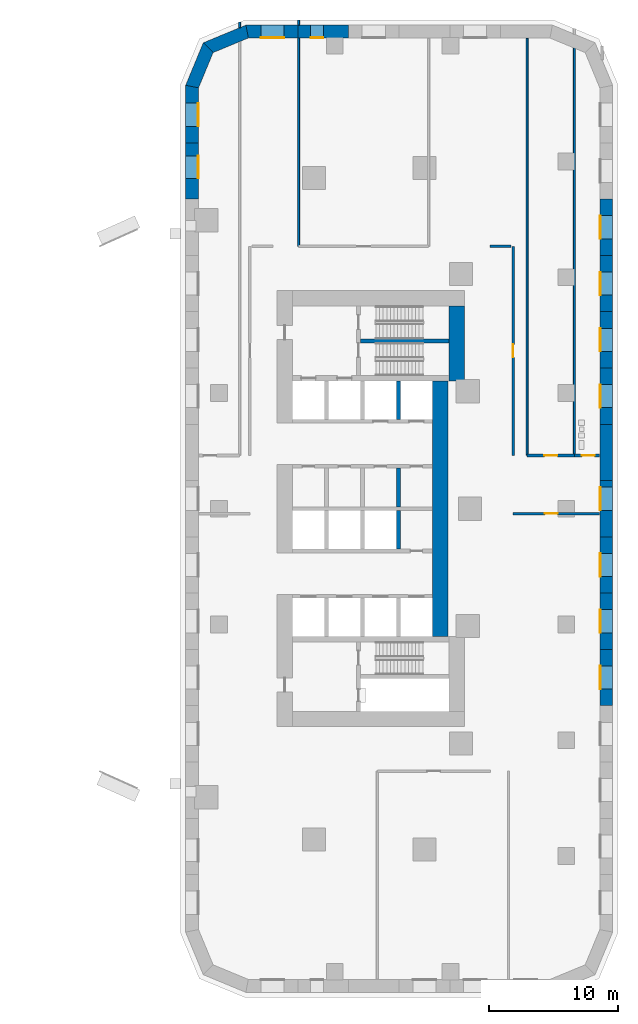
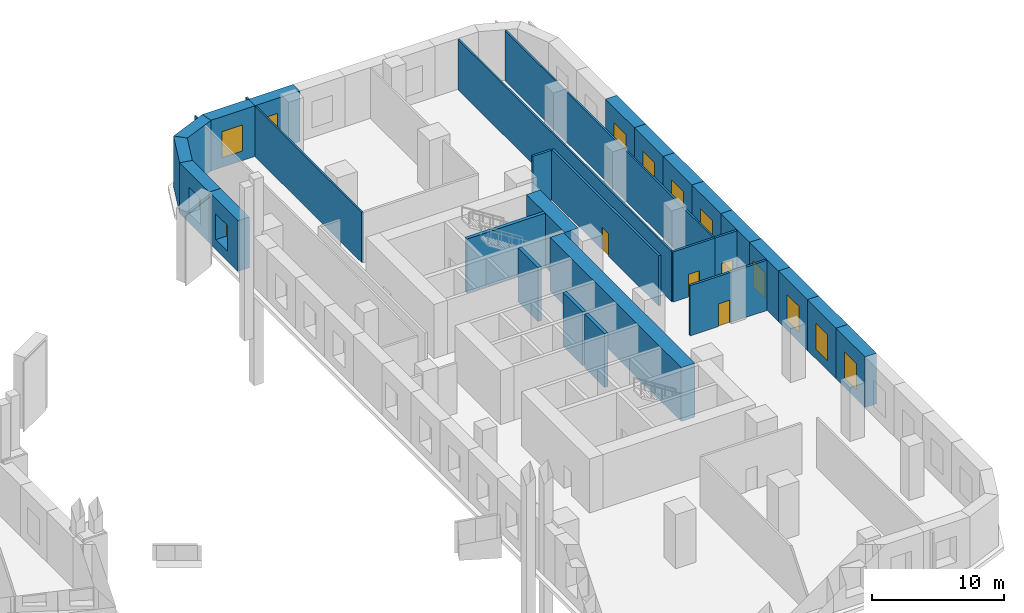
# One storey, part 5 of 11: 31 walls, 12 windows, 4 doors, 16 openings.
"""IFC4 building model written with IfcOpenShell, lengths in metres."""

from ifc_helpers import new_model, si_unit, direction, frame, frame_2d, origin, place, context, subcontext, project, spatial, polyline, rectangle, outline, extrude, material, layer, layer_set, type_object, element, fill, save


model = new_model("IFC4")

# Units and contexts
model_context = context("Model", 3, precision=1e-05, world=origin(), true_north=direction((0.0, 1.0)))
body_context = subcontext(model_context, "Body", "Model", "MODEL_VIEW")
ifc_project = project(units=[si_unit("LENGTHUNIT", "METRE"), si_unit("AREAUNIT", "SQUARE_METRE"), si_unit("VOLUMEUNIT", "CUBIC_METRE"), si_unit("PLANEANGLEUNIT", "RADIAN"), si_unit("MASSUNIT", "GRAM", prefix="KILO")], contexts=[model_context])

# Site, building, storey
site_placement = place(None, origin())
site = spatial("IfcSite", under=ifc_project, at=site_placement, CompositionType="ELEMENT")
building_placement = place(site_placement, origin())
building = spatial("IfcBuilding", under=site, at=building_placement, Name="Ostrand Prow Hotel Tower", CompositionType="ELEMENT")
storey_placement = place(building_placement, frame((0.0, 0.0, 19.0)))
storey = spatial("IfcBuildingStorey", under=building, at=storey_placement, Name="L03", CompositionType="ELEMENT", Elevation=19.0)

# Walls
ifc_material_1 = material(Name="Concrete C80/95", Category="concrete")
ifc_layer_1 = layer(ifc_material_1, 1.199951171875)
ifc_layer_set_1 = layer_set([ifc_layer_1], Name="Concrete C80/95")
wall_type_1 = type_object("IfcWallType", Name="Core wall 1200 C80/95", PredefinedType="SHEAR", material=ifc_layer_set_1)
wall_1_placement = place(storey_placement, frame((63.47998046875, 9.949951171875, 0.0), z_axis=(0.0, 0.0, 1.0), x_axis=(0.0, 1.0, 0.0)))
element("IfcWall", 1, at=wall_1_placement, inside=storey, type_object=wall_type_1, Name="Core wall CW-E-N", PredefinedType="SHEAR", context=body_context, shape_type="SweptSolid", body=[
    extrude(rectangle(XDim=5.800048828125, YDim=1.199951171875, at=frame_2d((2.89990234375, 0.0))), origin(), (0.0, 0.0, 1.0), 5.0),
])
wall_2_placement = place(storey_placement, frame((62.199951171875, -9.949951171875, 0.0), z_axis=(0.0, 0.0, 1.0), x_axis=(0.0, 1.0, 0.0)))
element("IfcWall", 2, at=wall_2_placement, inside=storey, type_object=wall_type_1, Name="Core wall CW-E-C", PredefinedType="SHEAR", context=body_context, shape_type="SweptSolid", body=[
    extrude(rectangle(XDim=19.89990234375, YDim=1.199951171875, at=frame_2d((9.949951171875, 0.0))), origin(), (0.0, 0.0, 1.0), 5.0),
])
ifc_material_2 = material(Name="Concrete C80/95", Category="concrete")
ifc_layer_2 = layer(ifc_material_2, 0.300048828125)
ifc_layer_set_2 = layer_set([ifc_layer_2], Name="Concrete C80/95")
wall_type_2 = type_object("IfcWallType", Name="Core wall 300 C80/95", PredefinedType="SHEAR", material=ifc_layer_set_2)
for number, where, z_axis, x_axis, name in (
    (3, (58.949951171875, 0.14990234375, 0.0), (0.0, 0.0, 1.0), (0.0, 1.0, 0.0), "Core wall PW-R3-NB"),
    (4, (58.949951171875, 6.949951171875, 0.0), (0.0, 0.0, 1.0), (0.0, 1.0, 0.0), "Core wall PW-R3-NA"),
    (5, (58.949951171875, -3.14990234375, 0.0), (0.0, 0.0, 1.0), (0.0, 1.0, 0.0), "Core wall PW-R3-SB"),
):
    element("IfcWall", number, at=place(storey_placement, frame(where, z_axis=z_axis, x_axis=x_axis)), inside=storey, type_object=wall_type_2, Name=name, PredefinedType="SHEAR", context=body_context, shape_type="SweptSolid", body=[
        extrude(rectangle(XDim=3.0, YDim=0.300048828125, at=frame_2d((1.5, 0.0))), origin(), (0.0, 0.0, 1.0), 5.0),
    ])
wall_3_placement = place(storey_placement, frame((56.0, 13.050048828125, 0.0), z_axis=(0.0, 0.0, 1.0), x_axis=(1.0, 0.0, 0.0)))
element("IfcWall", 6, at=wall_3_placement, inside=storey, type_object=wall_type_2, Name="Core wall PW-ST13", PredefinedType="SHEAR", context=body_context, shape_type="SweptSolid", body=[
    extrude(rectangle(XDim=6.8798828125, YDim=0.300048828125, at=frame_2d((3.43994140625, 0.0))), origin(), (0.0, 0.0, 1.0), 5.0),
])
ifc_material_3 = material(Name="Plasterboard partition")
ifc_layer_3 = layer(ifc_material_3, 0.14990234375)
ifc_layer_set_3 = layer_set([ifc_layer_3], Name="Plasterboard partition")
wall_type_3 = type_object("IfcWallType", Name="Partition 150 room partition", PredefinedType="PARTITIONING", material=ifc_layer_set_3)
wall_4_placement = place(storey_placement, frame((46.594482421875, 37.399169921875, 0.0), z_axis=(0.0, 0.0, 1.0), x_axis=(0.0, 1.0, 0.0)))
element("IfcWall", 7, at=wall_4_placement, inside=storey, type_object=wall_type_3, Name="ROOM PARTITION", PredefinedType="PARTITIONING", context=body_context, shape_type="SweptSolid", body=[
    extrude(rectangle(XDim=0.432861328125, YDim=0.14990234375, at=frame_2d((0.21630859375, 0.0))), origin(), (0.0, 0.0, 1.0), 4.64990234375),
])
wall_5_placement = place(storey_placement, frame((51.189208984375, 20.39990234375, 0.0), z_axis=(0.0, 0.0, 1.0), x_axis=(0.0, 1.0, 0.0)))
element("IfcWall", 8, at=wall_5_placement, inside=storey, type_object=wall_type_3, Name="ROOM PARTITION", PredefinedType="PARTITIONING", context=body_context, shape_type="SweptSolid", body=[
    extrude(rectangle(XDim=16.2001953125, YDim=0.14990234375, at=frame_2d((8.10009765625, 0.0))), origin(), (0.0, 0.0, 1.0), 4.64990234375),
])
wall_6_placement = place(storey_placement, frame((51.189208984375, 37.60009765625, 0.0), z_axis=(0.0, 0.0, 1.0), x_axis=(0.0, 1.0, 0.0)))
element("IfcWall", 9, at=wall_6_placement, inside=storey, type_object=wall_type_3, Name="ROOM PARTITION", PredefinedType="PARTITIONING", context=body_context, shape_type="SweptSolid", body=[
    extrude(rectangle(XDim=0.39990234375, YDim=0.14990234375, at=frame_2d((0.199951171875, 0.0))), origin(), (0.0, 0.0, 1.0), 4.64990234375),
])
wall_7_placement = place(storey_placement, frame((68.955078125, 4.138671875, 0.0), z_axis=(0.0, 0.0, 1.0), x_axis=(0.0, 1.0, 0.0)))
element("IfcWall", 10, at=wall_7_placement, inside=storey, type_object=wall_type_3, Name="ROOM PARTITION", PredefinedType="PARTITIONING", context=body_context, shape_type="SweptSolid", body=[
    extrude(rectangle(XDim=32.431396484375, YDim=0.14990234375, at=frame_2d((16.2158203125, 0.0))), origin(), (0.0, 0.0, 1.0), 4.64990234375),
])
wall_8_placement = place(storey_placement, frame((72.630615234375, 4.138671875, 0.0), z_axis=(0.0, 0.0, 1.0), x_axis=(0.0, 1.0, 0.0)))
element("IfcWall", 11, at=wall_8_placement, inside=storey, type_object=wall_type_3, Name="ROOM PARTITION", PredefinedType="PARTITIONING", context=body_context, shape_type="SweptSolid", body=[
    extrude(rectangle(XDim=31.67041015625, YDim=0.14990234375, at=frame_2d((15.835205078125, 0.0))), origin(), (0.0, 0.0, 1.0), 4.64990234375),
])

# Wall, opening, door
ifc_material_4 = material(Name="Plasterboard partition")
ifc_layer_4 = layer(ifc_material_4, 0.199951171875)
ifc_layer_set_4 = layer_set([ifc_layer_4], Name="Plasterboard partition")
wall_type_4 = type_object("IfcWallType", Name="Partition 200 corridor wall", PredefinedType="PARTITIONING", material=ifc_layer_set_4)
wall_9_placement = place(storey_placement, frame((67.85888671875, -0.376220703125, 0.0), z_axis=(0.0, 0.0, 1.0), x_axis=(1.0, 0.0, 0.0)))
wall_9 = element("IfcWall", 12, at=wall_9_placement, inside=storey, type_object=wall_type_4, Name="CORRIDOR WALL", PredefinedType="PARTITIONING", context=body_context, shape_type="SweptSolid", body=[
    extrude(rectangle(XDim=6.711181640625, YDim=0.199951171875, at=frame_2d((3.35546875, 0.0))), origin(), (0.0, 0.0, 1.0), 4.64990234375),
])
opening_1_placement = place(wall_9_placement, frame((2.470458984375, 0.0, 0.0)))
opening_1 = element("IfcOpeningElement", 13, at=opening_1_placement, cuts=wall_9, Name="Opening D1R", PredefinedType="OPENING", context=body_context, shape_type="SweptSolid", body=[
    extrude(rectangle(XDim=1.0, YDim=2.10009765625, at=frame_2d((0.5, 1.050048828125))), frame((0.0, 0.10986328125, 0.0), z_axis=(0.0, -1.0, 0.0), x_axis=(1.0, 0.0, 0.0)), (0.0, 0.0, 1.0), 0.219970703125),
])
ifc_material_5 = material(Name="Timber door leaf", Category="wood")
door_type_1 = type_object("IfcDoorType", Name="Guest room door 1000 right", OperationType="SINGLE_SWING_RIGHT", PredefinedType="DOOR", material=ifc_material_5)
door_1_placement = place(opening_1_placement, origin())
door_1 = element("IfcDoor", 14, at=door_1_placement, inside=storey, type_object=door_type_1, Name="DOOR", OperationType="SINGLE_SWING_RIGHT", OverallHeight=2.10009765625, OverallWidth=1.0, PredefinedType="DOOR", context=body_context, shape_type="SweptSolid", body=[
    extrude(rectangle(XDim=1.0, YDim=2.10009765625, at=frame_2d((0.5, 1.050048828125))), frame((0.0, 0.02490234375, 0.0), z_axis=(0.0, -1.0, 0.0), x_axis=(1.0, 0.0, 0.0)), (0.0, 0.0, 1.0), 0.050048828125),
])
fill(opening_1, door_1)

wall_10_placement = place(storey_placement, frame((68.955078125, 4.138671875, 0.0), z_axis=(0.0, 0.0, 1.0), x_axis=(1.0, 0.0, 0.0)))
wall_10 = element("IfcWall", 15, at=wall_10_placement, inside=storey, type_object=wall_type_4, Name="CORRIDOR WALL", PredefinedType="PARTITIONING", context=body_context, shape_type="SweptSolid", body=[
    extrude(rectangle(XDim=3.675537109375, YDim=0.199951171875, at=frame_2d((1.837890625, 0.0))), origin(), (0.0, 0.0, 1.0), 4.64990234375),
])
opening_2_placement = place(wall_10_placement, frame((1.337890625, 0.0, 0.0)))
opening_2 = element("IfcOpeningElement", 16, at=opening_2_placement, cuts=wall_10, Name="Opening D1R", PredefinedType="OPENING", context=body_context, shape_type="SweptSolid", body=[
    extrude(rectangle(XDim=1.0, YDim=2.10009765625, at=frame_2d((0.5, 1.050048828125))), frame((0.0, 0.10986328125, 0.0), z_axis=(0.0, -1.0, 0.0), x_axis=(1.0, 0.0, 0.0)), (0.0, 0.0, 1.0), 0.219970703125),
])
door_2_placement = place(opening_2_placement, origin())
door_2 = element("IfcDoor", 17, at=door_2_placement, inside=storey, type_object=door_type_1, Name="DOOR", OperationType="SINGLE_SWING_RIGHT", OverallHeight=2.10009765625, OverallWidth=1.0, PredefinedType="DOOR", context=body_context, shape_type="SweptSolid", body=[
    extrude(rectangle(XDim=1.0, YDim=2.10009765625, at=frame_2d((0.5, 1.050048828125))), frame((0.0, 0.02490234375, 0.0), z_axis=(0.0, -1.0, 0.0), x_axis=(1.0, 0.0, 0.0)), (0.0, 0.0, 1.0), 0.050048828125),
])
fill(opening_2, door_2)

wall_11_placement = place(storey_placement, frame((72.630615234375, 4.138671875, 0.0), z_axis=(0.0, 0.0, 1.0), x_axis=(1.0, 0.0, 0.0)))
wall_11 = element("IfcWall", 18, at=wall_11_placement, inside=storey, type_object=wall_type_4, Name="CORRIDOR WALL", PredefinedType="PARTITIONING", context=body_context, shape_type="SweptSolid", body=[
    extrude(rectangle(XDim=1.939453125, YDim=0.199951171875, at=frame_2d((0.9697265625, 0.0))), origin(), (0.0, 0.0, 1.0), 4.64990234375),
])
opening_3_placement = place(wall_11_placement, frame((0.572021484375, 0.0, 0.0)))
opening_3 = element("IfcOpeningElement", 19, at=opening_3_placement, cuts=wall_11, Name="Opening D1", PredefinedType="OPENING", context=body_context, shape_type="SweptSolid", body=[
    extrude(rectangle(XDim=1.0, YDim=2.10009765625, at=frame_2d((0.5, 1.050048828125))), frame((0.0, 0.10986328125, 0.0), z_axis=(0.0, -1.0, 0.0), x_axis=(1.0, 0.0, 0.0)), (0.0, 0.0, 1.0), 0.219970703125),
])
ifc_material_6 = material(Name="Timber door leaf", Category="wood")
door_type_2 = type_object("IfcDoorType", Name="Guest room door 1000", OperationType="SINGLE_SWING_LEFT", PredefinedType="DOOR", material=ifc_material_6)
door_3_placement = place(opening_3_placement, origin())
door_3 = element("IfcDoor", 20, at=door_3_placement, inside=storey, type_object=door_type_2, Name="DOOR", OperationType="SINGLE_SWING_LEFT", OverallHeight=2.10009765625, OverallWidth=1.0, PredefinedType="DOOR", context=body_context, shape_type="SweptSolid", body=[
    extrude(rectangle(XDim=1.0, YDim=2.10009765625, at=frame_2d((0.5, 1.050048828125))), frame((0.0, 0.02490234375, 0.0), z_axis=(0.0, -1.0, 0.0), x_axis=(1.0, 0.0, 0.0)), (0.0, 0.0, 1.0), 0.050048828125),
])
fill(opening_3, door_3)

wall_12_placement = place(storey_placement, frame((67.860107421875, 4.138671875, 0.0), z_axis=(0.0, 0.0, 1.0), x_axis=(0.0, 1.0, 0.0)))
wall_12 = element("IfcWall", 21, at=wall_12_placement, inside=storey, type_object=wall_type_4, Name="CORRIDOR WALL", PredefinedType="PARTITIONING", context=body_context, shape_type="SweptSolid", body=[
    extrude(rectangle(XDim=16.26123046875, YDim=0.199951171875, at=frame_2d((8.130615234375, 0.0))), origin(), (0.0, 0.0, 1.0), 4.64990234375),
])
opening_4_placement = place(wall_12_placement, frame((7.630615234375, 0.0, 0.0)))
opening_4 = element("IfcOpeningElement", 22, at=opening_4_placement, cuts=wall_12, Name="Opening D1", PredefinedType="OPENING", context=body_context, shape_type="SweptSolid", body=[
    extrude(rectangle(XDim=1.0, YDim=2.10009765625, at=frame_2d((0.5, 1.050048828125))), frame((0.0, 0.10986328125, 0.0), z_axis=(0.0, -1.0, 0.0), x_axis=(1.0, 0.0, 0.0)), (0.0, 0.0, 1.0), 0.219970703125),
])
door_4_placement = place(opening_4_placement, origin())
door_4 = element("IfcDoor", 23, at=door_4_placement, inside=storey, type_object=door_type_2, Name="DOOR", OperationType="SINGLE_SWING_LEFT", OverallHeight=2.10009765625, OverallWidth=1.0, PredefinedType="DOOR", context=body_context, shape_type="SweptSolid", body=[
    extrude(rectangle(XDim=1.0, YDim=2.10009765625, at=frame_2d((0.5, 1.050048828125))), frame((0.0, 0.02490234375, 0.0), z_axis=(0.0, -1.0, 0.0), x_axis=(1.0, 0.0, 0.0)), (0.0, 0.0, 1.0), 0.050048828125),
])
fill(opening_4, door_4)

# Wall
wall_13_placement = place(storey_placement, frame((66.06005859375, 20.39990234375, 0.0), z_axis=(0.0, 0.0, 1.0), x_axis=(1.0, 0.0, 0.0)))
element("IfcWall", 24, at=wall_13_placement, inside=storey, type_object=wall_type_4, Name="CORRIDOR WALL", PredefinedType="PARTITIONING", context=body_context, shape_type="SweptSolid", body=[
    extrude(rectangle(XDim=1.64990234375, YDim=0.199951171875, at=frame_2d((0.824951171875, 0.0))), origin(), (0.0, 0.0, 1.0), 4.64990234375),
])

# Wall, opening, window
ifc_material_7 = material(Name="Precast concrete C40/50", Category="concrete")
ifc_layer_5 = layer(ifc_material_7, 1.0)
ifc_layer_set_5 = layer_set([ifc_layer_5], Name="Precast concrete C40/50")
wall_type_5 = type_object("IfcWallType", Name="Portal pier wall 1000 mm", PredefinedType="NOTDEFINED", material=ifc_layer_set_5)
wall_14_placement = place(storey_placement, frame((75.10009765625, -15.31640625, 0.0), z_axis=(0.0, 0.0, 1.0), x_axis=(0.0, 1.0, 0.0)))
wall_14 = element("IfcWall", 25, at=wall_14_placement, inside=storey, type_object=wall_type_5, Name="Portal pier wall L03-PP112", PredefinedType="NOTDEFINED", context=body_context, shape_type="SweptSolid", body=[
    extrude(outline(polyline([(0.0, -0.5), (4.376220703125, -0.5), (4.376220703125, 0.5), (0.0, 0.5), (0.0, -0.5)])), origin(), (0.0, 0.0, 1.0), 4.699951171875),
])
opening_5_placement = place(wall_14_placement, frame((1.2880859375, 0.0, 0.89990234375)))
opening_5 = element("IfcOpeningElement", 26, at=opening_5_placement, cuts=wall_14, Name="Opening WP2", PredefinedType="OPENING", context=body_context, shape_type="SweptSolid", body=[
    extrude(rectangle(XDim=1.800048828125, YDim=2.39990234375, at=frame_2d((0.89990234375, 1.199951171875))), frame((0.0, 0.510009765625, 0.0), z_axis=(0.0, -1.0, 0.0), x_axis=(1.0, 0.0, 0.0)), (0.0, 0.0, 1.0), 1.02001953125),
])
ifc_material_8 = material(Name="Insulated glass in bronze anodised frame", Category="glass")
window_type = type_object("IfcWindowType", Name="Portal window 1800x2400", PartitioningType="SINGLE_PANEL", PredefinedType="WINDOW", material=ifc_material_8)
window_1_placement = place(opening_5_placement, origin())
window_1 = element("IfcWindow", 27, at=window_1_placement, inside=storey, type_object=window_type, Name="Portal window L03-PP112", OverallHeight=2.39990234375, OverallWidth=1.800048828125, PartitioningType="SINGLE_PANEL", PredefinedType="WINDOW", context=body_context, shape_type="SweptSolid", body=[
    extrude(rectangle(XDim=1.800048828125, YDim=2.39990234375, at=frame_2d((0.89990234375, 1.199951171875))), frame((0.0, 0.5, 0.0), z_axis=(0.0, -1.0, 0.0), x_axis=(1.0, 0.0, 0.0)), (0.0, 0.0, 1.0), 0.06005859375),
])
fill(opening_5, window_1)

wall_15_placement = place(storey_placement, frame((75.10009765625, -10.940185546875, 0.0), z_axis=(0.0, 0.0, 1.0), x_axis=(0.0, 1.0, 0.0)))
wall_15 = element("IfcWall", 28, at=wall_15_placement, inside=storey, type_object=wall_type_5, Name="Portal pier wall L03-PP113", PredefinedType="NOTDEFINED", context=body_context, shape_type="SweptSolid", body=[
    extrude(outline(polyline([(0.0, -0.5), (4.3759765625, -0.5), (4.3759765625, 0.5), (0.0, 0.5), (0.0, -0.5)])), origin(), (0.0, 0.0, 1.0), 4.699951171875),
])
opening_6_placement = place(wall_15_placement, frame((1.2880859375, 0.0, 0.89990234375)))
opening_6 = element("IfcOpeningElement", 29, at=opening_6_placement, cuts=wall_15, Name="Opening WP2", PredefinedType="OPENING", context=body_context, shape_type="SweptSolid", body=[
    extrude(rectangle(XDim=1.800048828125, YDim=2.39990234375, at=frame_2d((0.89990234375, 1.199951171875))), frame((0.0, 0.510009765625, 0.0), z_axis=(0.0, -1.0, 0.0), x_axis=(1.0, 0.0, 0.0)), (0.0, 0.0, 1.0), 1.02001953125),
])
window_2_placement = place(opening_6_placement, origin())
window_2 = element("IfcWindow", 30, at=window_2_placement, inside=storey, type_object=window_type, Name="Portal window L03-PP113", OverallHeight=2.39990234375, OverallWidth=1.800048828125, PartitioningType="SINGLE_PANEL", PredefinedType="WINDOW", context=body_context, shape_type="SweptSolid", body=[
    extrude(rectangle(XDim=1.800048828125, YDim=2.39990234375, at=frame_2d((0.89990234375, 1.199951171875))), frame((0.0, 0.5, 0.0), z_axis=(0.0, -1.0, 0.0), x_axis=(1.0, 0.0, 0.0)), (0.0, 0.0, 1.0), 0.06005859375),
])
fill(opening_6, window_2)

wall_16_placement = place(storey_placement, frame((75.10009765625, -6.564208984375, 0.0), z_axis=(0.0, 0.0, 1.0), x_axis=(0.0, 1.0, 0.0)))
wall_16 = element("IfcWall", 31, at=wall_16_placement, inside=storey, type_object=wall_type_5, Name="Portal pier wall L03-PP114", PredefinedType="NOTDEFINED", context=body_context, shape_type="SweptSolid", body=[
    extrude(outline(polyline([(0.0, -0.5), (4.376220703125, -0.5), (4.376220703125, 0.5), (0.0, 0.5), (0.0, -0.5)])), origin(), (0.0, 0.0, 1.0), 4.699951171875),
])
opening_7_placement = place(wall_16_placement, frame((1.2880859375, 0.0, 0.89990234375)))
opening_7 = element("IfcOpeningElement", 32, at=opening_7_placement, cuts=wall_16, Name="Opening WP2", PredefinedType="OPENING", context=body_context, shape_type="SweptSolid", body=[
    extrude(rectangle(XDim=1.800048828125, YDim=2.39990234375, at=frame_2d((0.89990234375, 1.199951171875))), frame((0.0, 0.510009765625, 0.0), z_axis=(0.0, -1.0, 0.0), x_axis=(1.0, 0.0, 0.0)), (0.0, 0.0, 1.0), 1.02001953125),
])
window_3_placement = place(opening_7_placement, origin())
window_3 = element("IfcWindow", 33, at=window_3_placement, inside=storey, type_object=window_type, Name="Portal window L03-PP114", OverallHeight=2.39990234375, OverallWidth=1.800048828125, PartitioningType="SINGLE_PANEL", PredefinedType="WINDOW", context=body_context, shape_type="SweptSolid", body=[
    extrude(rectangle(XDim=1.800048828125, YDim=2.39990234375, at=frame_2d((0.89990234375, 1.199951171875))), frame((0.0, 0.5, 0.0), z_axis=(0.0, -1.0, 0.0), x_axis=(1.0, 0.0, 0.0)), (0.0, 0.0, 1.0), 0.06005859375),
])
fill(opening_7, window_3)

wall_17_placement = place(storey_placement, frame((75.10009765625, -2.18798828125, 0.0), z_axis=(0.0, 0.0, 1.0), x_axis=(0.0, 1.0, 0.0)))
wall_17 = element("IfcWall", 34, at=wall_17_placement, inside=storey, type_object=wall_type_5, Name="Portal pier wall L03-PP115", PredefinedType="NOTDEFINED", context=body_context, shape_type="SweptSolid", body=[
    extrude(outline(polyline([(0.0, -0.5), (4.3759765625, -0.5), (4.3759765625, 0.5), (0.0, 0.5), (0.0, -0.5)])), origin(), (0.0, 0.0, 1.0), 4.699951171875),
])
opening_8_placement = place(wall_17_placement, frame((2.068115234375, 0.0, 0.89990234375)))
opening_8 = element("IfcOpeningElement", 35, at=opening_8_placement, cuts=wall_17, Name="Opening WP2", PredefinedType="OPENING", context=body_context, shape_type="SweptSolid", body=[
    extrude(rectangle(XDim=1.800048828125, YDim=2.39990234375, at=frame_2d((0.89990234375, 1.199951171875))), frame((0.0, 0.510009765625, 0.0), z_axis=(0.0, -1.0, 0.0), x_axis=(1.0, 0.0, 0.0)), (0.0, 0.0, 1.0), 1.02001953125),
])
window_4_placement = place(opening_8_placement, origin())
window_4 = element("IfcWindow", 36, at=window_4_placement, inside=storey, type_object=window_type, Name="Portal window L03-PP115", OverallHeight=2.39990234375, OverallWidth=1.800048828125, PartitioningType="SINGLE_PANEL", PredefinedType="WINDOW", context=body_context, shape_type="SweptSolid", body=[
    extrude(rectangle(XDim=1.800048828125, YDim=2.39990234375, at=frame_2d((0.89990234375, 1.199951171875))), frame((0.0, 0.5, 0.0), z_axis=(0.0, -1.0, 0.0), x_axis=(1.0, 0.0, 0.0)), (0.0, 0.0, 1.0), 0.06005859375),
])
fill(opening_8, window_4)

# Wall
wall_18_placement = place(storey_placement, frame((75.10009765625, 2.18798828125, 0.0), z_axis=(0.0, 0.0, 1.0), x_axis=(0.0, 1.0, 0.0)))
element("IfcWall", 37, at=wall_18_placement, inside=storey, type_object=wall_type_5, Name="Portal pier wall L03-PP116", PredefinedType="NOTDEFINED", context=body_context, shape_type="SweptSolid", body=[
    extrude(outline(polyline([(0.0, -0.5), (4.376220703125, -0.5), (4.376220703125, 0.5), (0.0, 0.5), (0.0, -0.5)])), origin(), (0.0, 0.0, 1.0), 4.699951171875),
])

# Wall, opening, window
wall_19_placement = place(storey_placement, frame((75.10009765625, 6.564208984375, 0.0), z_axis=(0.0, 0.0, 1.0), x_axis=(0.0, 1.0, 0.0)))
wall_19 = element("IfcWall", 38, at=wall_19_placement, inside=storey, type_object=wall_type_5, Name="Portal pier wall L03-PP117", PredefinedType="NOTDEFINED", context=body_context, shape_type="SweptSolid", body=[
    extrude(outline(polyline([(0.0, -0.5), (4.3759765625, -0.5), (4.3759765625, 0.5), (0.0, 0.5), (0.0, -0.5)])), origin(), (0.0, 0.0, 1.0), 4.699951171875),
])
opening_9_placement = place(wall_19_placement, frame((1.2880859375, 0.0, 0.89990234375)))
opening_9 = element("IfcOpeningElement", 39, at=opening_9_placement, cuts=wall_19, Name="Opening WP2", PredefinedType="OPENING", context=body_context, shape_type="SweptSolid", body=[
    extrude(rectangle(XDim=1.800048828125, YDim=2.39990234375, at=frame_2d((0.89990234375, 1.199951171875))), frame((0.0, 0.510009765625, 0.0), z_axis=(0.0, -1.0, 0.0), x_axis=(1.0, 0.0, 0.0)), (0.0, 0.0, 1.0), 1.02001953125),
])
window_5_placement = place(opening_9_placement, origin())
window_5 = element("IfcWindow", 40, at=window_5_placement, inside=storey, type_object=window_type, Name="Portal window L03-PP117", OverallHeight=2.39990234375, OverallWidth=1.800048828125, PartitioningType="SINGLE_PANEL", PredefinedType="WINDOW", context=body_context, shape_type="SweptSolid", body=[
    extrude(rectangle(XDim=1.800048828125, YDim=2.39990234375, at=frame_2d((0.89990234375, 1.199951171875))), frame((0.0, 0.5, 0.0), z_axis=(0.0, -1.0, 0.0), x_axis=(1.0, 0.0, 0.0)), (0.0, 0.0, 1.0), 0.06005859375),
])
fill(opening_9, window_5)

wall_20_placement = place(storey_placement, frame((75.10009765625, 10.940185546875, 0.0), z_axis=(0.0, 0.0, 1.0), x_axis=(0.0, 1.0, 0.0)))
wall_20 = element("IfcWall", 41, at=wall_20_placement, inside=storey, type_object=wall_type_5, Name="Portal pier wall L03-PP118", PredefinedType="NOTDEFINED", context=body_context, shape_type="SweptSolid", body=[
    extrude(outline(polyline([(0.0, -0.5), (4.376220703125, -0.5), (4.376220703125, 0.5), (0.0, 0.5), (0.0, -0.5)])), origin(), (0.0, 0.0, 1.0), 4.699951171875),
])
opening_10_placement = place(wall_20_placement, frame((1.2880859375, 0.0, 0.89990234375)))
opening_10 = element("IfcOpeningElement", 42, at=opening_10_placement, cuts=wall_20, Name="Opening WP2", PredefinedType="OPENING", context=body_context, shape_type="SweptSolid", body=[
    extrude(rectangle(XDim=1.800048828125, YDim=2.39990234375, at=frame_2d((0.89990234375, 1.199951171875))), frame((0.0, 0.510009765625, 0.0), z_axis=(0.0, -1.0, 0.0), x_axis=(1.0, 0.0, 0.0)), (0.0, 0.0, 1.0), 1.02001953125),
])
window_6_placement = place(opening_10_placement, origin())
window_6 = element("IfcWindow", 43, at=window_6_placement, inside=storey, type_object=window_type, Name="Portal window L03-PP118", OverallHeight=2.39990234375, OverallWidth=1.800048828125, PartitioningType="SINGLE_PANEL", PredefinedType="WINDOW", context=body_context, shape_type="SweptSolid", body=[
    extrude(rectangle(XDim=1.800048828125, YDim=2.39990234375, at=frame_2d((0.89990234375, 1.199951171875))), frame((0.0, 0.5, 0.0), z_axis=(0.0, -1.0, 0.0), x_axis=(1.0, 0.0, 0.0)), (0.0, 0.0, 1.0), 0.06005859375),
])
fill(opening_10, window_6)

wall_21_placement = place(storey_placement, frame((75.10009765625, 15.31640625, 0.0), z_axis=(0.0, 0.0, 1.0), x_axis=(0.0, 1.0, 0.0)))
wall_21 = element("IfcWall", 44, at=wall_21_placement, inside=storey, type_object=wall_type_5, Name="Portal pier wall L03-PP119", PredefinedType="NOTDEFINED", context=body_context, shape_type="SweptSolid", body=[
    extrude(outline(polyline([(0.0, -0.5), (4.376220703125, -0.5), (4.376220703125, 0.5), (0.0, 0.5), (0.0, -0.5)])), origin(), (0.0, 0.0, 1.0), 4.699951171875),
])
opening_11_placement = place(wall_21_placement, frame((1.2880859375, 0.0, 0.89990234375)))
opening_11 = element("IfcOpeningElement", 45, at=opening_11_placement, cuts=wall_21, Name="Opening WP2", PredefinedType="OPENING", context=body_context, shape_type="SweptSolid", body=[
    extrude(rectangle(XDim=1.800048828125, YDim=2.39990234375, at=frame_2d((0.89990234375, 1.199951171875))), frame((0.0, 0.510009765625, 0.0), z_axis=(0.0, -1.0, 0.0), x_axis=(1.0, 0.0, 0.0)), (0.0, 0.0, 1.0), 1.02001953125),
])
window_7_placement = place(opening_11_placement, origin())
window_7 = element("IfcWindow", 46, at=window_7_placement, inside=storey, type_object=window_type, Name="Portal window L03-PP119", OverallHeight=2.39990234375, OverallWidth=1.800048828125, PartitioningType="SINGLE_PANEL", PredefinedType="WINDOW", context=body_context, shape_type="SweptSolid", body=[
    extrude(rectangle(XDim=1.800048828125, YDim=2.39990234375, at=frame_2d((0.89990234375, 1.199951171875))), frame((0.0, 0.5, 0.0), z_axis=(0.0, -1.0, 0.0), x_axis=(1.0, 0.0, 0.0)), (0.0, 0.0, 1.0), 0.06005859375),
])
fill(opening_11, window_7)

wall_22_placement = place(storey_placement, frame((75.10009765625, 19.692626953125, 0.0), z_axis=(0.0, 0.0, 1.0), x_axis=(0.0, 1.0, 0.0)))
wall_22 = element("IfcWall", 47, at=wall_22_placement, inside=storey, type_object=wall_type_5, Name="Portal pier wall L03-PP120", PredefinedType="NOTDEFINED", context=body_context, shape_type="SweptSolid", body=[
    extrude(outline(polyline([(0.0, -0.5), (4.3759765625, -0.5), (4.3759765625, 0.5), (0.0, 0.5), (0.0, -0.5)])), origin(), (0.0, 0.0, 1.0), 4.699951171875),
])
opening_12_placement = place(wall_22_placement, frame((1.2880859375, 0.0, 0.89990234375)))
opening_12 = element("IfcOpeningElement", 48, at=opening_12_placement, cuts=wall_22, Name="Opening WP2", PredefinedType="OPENING", context=body_context, shape_type="SweptSolid", body=[
    extrude(rectangle(XDim=1.800048828125, YDim=2.39990234375, at=frame_2d((0.89990234375, 1.199951171875))), frame((0.0, 0.510009765625, 0.0), z_axis=(0.0, -1.0, 0.0), x_axis=(1.0, 0.0, 0.0)), (0.0, 0.0, 1.0), 1.02001953125),
])
window_8_placement = place(opening_12_placement, origin())
window_8 = element("IfcWindow", 49, at=window_8_placement, inside=storey, type_object=window_type, Name="Portal window L03-PP120", OverallHeight=2.39990234375, OverallWidth=1.800048828125, PartitioningType="SINGLE_PANEL", PredefinedType="WINDOW", context=body_context, shape_type="SweptSolid", body=[
    extrude(rectangle(XDim=1.800048828125, YDim=2.39990234375, at=frame_2d((0.89990234375, 1.199951171875))), frame((0.0, 0.5, 0.0), z_axis=(0.0, -1.0, 0.0), x_axis=(1.0, 0.0, 0.0)), (0.0, 0.0, 1.0), 0.06005859375),
])
fill(opening_12, window_8)

wall_23_placement = place(storey_placement, frame((55.059814453125, 37.10009765625, 0.0), z_axis=(0.0, 0.0, 1.0), x_axis=(-1.0, 0.0, 0.0)))
wall_23 = element("IfcWall", 50, at=wall_23_placement, inside=storey, type_object=wall_type_5, Name="Portal pier wall L03-PP129", PredefinedType="NOTDEFINED", context=body_context, shape_type="SweptSolid", body=[
    extrude(outline(polyline([(0.0, -0.5), (3.9404296875, -0.5), (3.9404296875, 0.5), (0.0, 0.5), (0.0, -0.5)])), origin(), (0.0, 0.0, 1.0), 4.699951171875),
])
opening_13_placement = place(wall_23_placement, frame((1.959716796875, 0.0, 0.89990234375)))
opening_13 = element("IfcOpeningElement", 51, at=opening_13_placement, cuts=wall_23, Name="Opening WP2", PredefinedType="OPENING", context=body_context, shape_type="SweptSolid", body=[
    extrude(rectangle(XDim=0.980712890625, YDim=2.39990234375, at=frame_2d((0.490234375, 1.199951171875))), frame((0.0, 0.510009765625, 0.0), z_axis=(0.0, -1.0, 0.0), x_axis=(1.0, 0.0, 0.0)), (0.0, 0.0, 1.0), 1.02001953125),
])
window_9_placement = place(opening_13_placement, origin())
window_9 = element("IfcWindow", 52, at=window_9_placement, inside=storey, type_object=window_type, Name="Portal window L03-PP129", OverallHeight=2.39990234375, OverallWidth=0.980712890625, PartitioningType="SINGLE_PANEL", PredefinedType="WINDOW", context=body_context, shape_type="SweptSolid", body=[
    extrude(rectangle(XDim=0.980712890625, YDim=2.39990234375, at=frame_2d((0.490234375, 1.199951171875))), frame((0.0, 0.5, 0.0), z_axis=(0.0, -1.0, 0.0), x_axis=(1.0, 0.0, 0.0)), (0.0, 0.0, 1.0), 0.06005859375),
])
fill(opening_13, window_9)

wall_24_placement = place(storey_placement, frame((51.119384765625, 37.10009765625, 0.0), z_axis=(0.0, 0.0, 1.0), x_axis=(-1.0, 0.0, 0.0)))
wall_24 = element("IfcWall", 53, at=wall_24_placement, inside=storey, type_object=wall_type_5, Name="Portal pier wall L03-PP130", PredefinedType="NOTDEFINED", context=body_context, shape_type="SweptSolid", body=[
    extrude(outline(polyline([(0.0, -0.5), (4.0400390625, -0.5), (3.8408203125, 0.5), (0.0, 0.5), (0.0, -0.5)])), origin(), (0.0, 0.0, 1.0), 4.699951171875),
])
opening_14_placement = place(wall_24_placement, frame((1.0703125, 0.0, 0.89990234375)))
opening_14 = element("IfcOpeningElement", 54, at=opening_14_placement, cuts=wall_24, Name="Opening WP2", PredefinedType="OPENING", context=body_context, shape_type="SweptSolid", body=[
    extrude(rectangle(XDim=1.800048828125, YDim=2.39990234375, at=frame_2d((0.89990234375, 1.199951171875))), frame((0.0, 0.510009765625, 0.0), z_axis=(0.0, -1.0, 0.0), x_axis=(1.0, 0.0, 0.0)), (0.0, 0.0, 1.0), 1.02001953125),
])
window_10_placement = place(opening_14_placement, origin())
window_10 = element("IfcWindow", 55, at=window_10_placement, inside=storey, type_object=window_type, Name="Portal window L03-PP130", OverallHeight=2.39990234375, OverallWidth=1.800048828125, PartitioningType="SINGLE_PANEL", PredefinedType="WINDOW", context=body_context, shape_type="SweptSolid", body=[
    extrude(rectangle(XDim=1.800048828125, YDim=2.39990234375, at=frame_2d((0.89990234375, 1.199951171875))), frame((0.0, 0.5, 0.0), z_axis=(0.0, -1.0, 0.0), x_axis=(1.0, 0.0, 0.0)), (0.0, 0.0, 1.0), 0.06005859375),
])
fill(opening_14, window_10)

# Walls
wall_25_placement = place(storey_placement, frame((47.178955078125, 37.10009765625, 0.0), z_axis=(0.0, 0.0, 1.0), x_axis=(-0.923862365102, -0.382724875529, 0.0)))
element("IfcWall", 56, at=wall_25_placement, inside=storey, type_object=wall_type_5, Name="Portal pier wall L03-PP131", PredefinedType="NOTDEFINED", context=body_context, shape_type="SweptSolid", body=[
    extrude(outline(polyline([(-0.099609375, -0.5), (3.48193359375, -0.5), (3.06787109375, 0.5), (0.099609375, 0.5), (-0.099609375, -0.5)])), origin(), (0.0, 0.0, 1.0), 4.699951171875),
])
wall_26_placement = place(storey_placement, frame((44.1533203125, 35.8466796875, 0.0), z_axis=(0.0, 0.0, 1.0), x_axis=(-0.382724875529, -0.923862365102, 0.0)))
element("IfcWall", 57, at=wall_26_placement, inside=storey, type_object=wall_type_5, Name="Portal pier wall L03-PP132", PredefinedType="NOTDEFINED", context=body_context, shape_type="SweptSolid", body=[
    extrude(outline(polyline([(-0.20703125, -0.5), (3.37451171875, -0.5), (3.17529296875, 0.5), (0.20703125, 0.5), (-0.20703125, -0.5)])), origin(), (0.0, 0.0, 1.0), 4.699951171875),
])

# Wall, opening, window
wall_27_placement = place(storey_placement, frame((42.89990234375, 32.821044921875, 0.0), z_axis=(0.0, 0.0, 1.0), x_axis=(0.0, -1.0, 0.0)))
wall_27 = element("IfcWall", 58, at=wall_27_placement, inside=storey, type_object=wall_type_5, Name="Portal pier wall L03-PP133", PredefinedType="NOTDEFINED", context=body_context, shape_type="SweptSolid", body=[
    extrude(outline(polyline([(-0.099609375, -0.5), (4.376220703125, -0.5), (4.376220703125, 0.5), (0.099609375, 0.5), (-0.099609375, -0.5)])), origin(), (0.0, 0.0, 1.0), 4.699951171875),
])
opening_15_placement = place(wall_27_placement, frame((1.2880859375, 0.0, 0.89990234375)))
opening_15 = element("IfcOpeningElement", 59, at=opening_15_placement, cuts=wall_27, Name="Opening WP2", PredefinedType="OPENING", context=body_context, shape_type="SweptSolid", body=[
    extrude(rectangle(XDim=1.800048828125, YDim=2.39990234375, at=frame_2d((0.89990234375, 1.199951171875))), frame((0.0, 0.510009765625, 0.0), z_axis=(0.0, -1.0, 0.0), x_axis=(1.0, 0.0, 0.0)), (0.0, 0.0, 1.0), 1.02001953125),
])
window_11_placement = place(opening_15_placement, origin())
window_11 = element("IfcWindow", 60, at=window_11_placement, inside=storey, type_object=window_type, Name="Portal window L03-PP133", OverallHeight=2.39990234375, OverallWidth=1.800048828125, PartitioningType="SINGLE_PANEL", PredefinedType="WINDOW", context=body_context, shape_type="SweptSolid", body=[
    extrude(rectangle(XDim=1.800048828125, YDim=2.39990234375, at=frame_2d((0.89990234375, 1.199951171875))), frame((0.0, 0.5, 0.0), z_axis=(0.0, -1.0, 0.0), x_axis=(1.0, 0.0, 0.0)), (0.0, 0.0, 1.0), 0.06005859375),
])
fill(opening_15, window_11)

wall_28_placement = place(storey_placement, frame((42.89990234375, 28.44482421875, 0.0), z_axis=(0.0, 0.0, 1.0), x_axis=(0.0, -1.0, 0.0)))
wall_28 = element("IfcWall", 61, at=wall_28_placement, inside=storey, type_object=wall_type_5, Name="Portal pier wall L03-PP134", PredefinedType="NOTDEFINED", context=body_context, shape_type="SweptSolid", body=[
    extrude(outline(polyline([(0.0, -0.5), (4.376220703125, -0.5), (4.376220703125, 0.5), (0.0, 0.5), (0.0, -0.5)])), origin(), (0.0, 0.0, 1.0), 4.699951171875),
])
opening_16_placement = place(wall_28_placement, frame((1.0, 0.0, 0.89990234375)))
opening_16 = element("IfcOpeningElement", 62, at=opening_16_placement, cuts=wall_28, Name="Opening WP2", PredefinedType="OPENING", context=body_context, shape_type="SweptSolid", body=[
    extrude(rectangle(XDim=1.760498046875, YDim=2.39990234375, at=frame_2d((0.88037109375, 1.199951171875))), frame((0.0, 0.510009765625, 0.0), z_axis=(0.0, -1.0, 0.0), x_axis=(1.0, 0.0, 0.0)), (0.0, 0.0, 1.0), 1.02001953125),
])
window_12_placement = place(opening_16_placement, origin())
window_12 = element("IfcWindow", 63, at=window_12_placement, inside=storey, type_object=window_type, Name="Portal window L03-PP134", OverallHeight=2.39990234375, OverallWidth=1.760498046875, PartitioningType="SINGLE_PANEL", PredefinedType="WINDOW", context=body_context, shape_type="SweptSolid", body=[
    extrude(rectangle(XDim=1.760498046875, YDim=2.39990234375, at=frame_2d((0.88037109375, 1.199951171875))), frame((0.0, 0.5, 0.0), z_axis=(0.0, -1.0, 0.0), x_axis=(1.0, 0.0, 0.0)), (0.0, 0.0, 1.0), 0.06005859375),
])
fill(opening_16, window_12)

save(model, "model.ifc")
